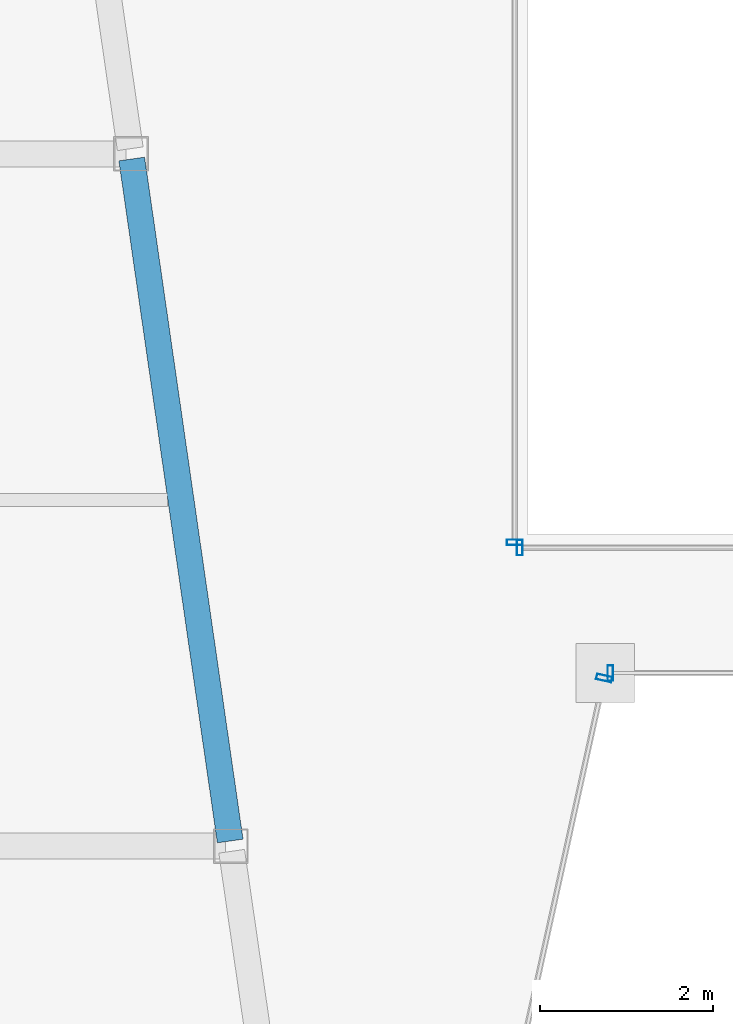
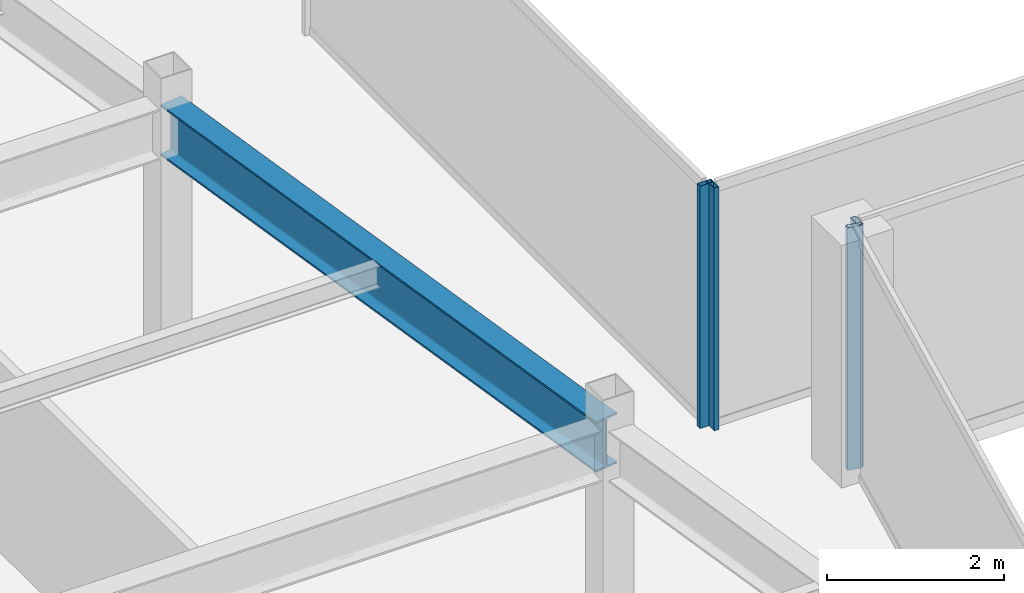
# One storey, part 7 of 34: 4 members, 1 beam, 4 elements without a shape of their own.
"""IFC4 building model written with IfcOpenShell, lengths in metres."""

from ifc_helpers import new_model, si_unit, direction, frame, origin, origin_2d, place, context, subcontext, project, spatial, hollow_rectangle, i_section, extrude, material, material_profile, profile_set, type_object, element, aggregate, save


model = new_model("IFC4")

# Units and contexts
model_context = context("Model", 3, precision=1e-05, world=origin(), true_north=direction((0.0, 1.0)))
body_context = subcontext(model_context, "Body", "Model", "MODEL_VIEW")
ifc_project = project(units=[si_unit("LENGTHUNIT", "METRE"), si_unit("AREAUNIT", "SQUARE_METRE"), si_unit("VOLUMEUNIT", "CUBIC_METRE"), si_unit("PLANEANGLEUNIT", "RADIAN"), si_unit("MASSUNIT", "GRAM", prefix="KILO")], contexts=[model_context])

# Site, building, storey
site_placement = place(None, origin())
site = spatial("IfcSite", under=ifc_project, at=site_placement, CompositionType="ELEMENT")
building_placement = place(site_placement, origin())
building = spatial("IfcBuilding", under=site, at=building_placement, Name="Saevonmaru Cultural Tower", CompositionType="ELEMENT")
storey_placement = place(building_placement, frame((0.0, 0.0, 220.800048828125)))
storey = spatial("IfcBuildingStorey", under=building, at=storey_placement, Name="L51", CompositionType="ELEMENT", Elevation=220.800048828125)

# Beam
ifc_material_1 = material(Name="Steel SM355", Category="steel")
ifc_material_profile_1 = material_profile(ifc_material_1, i_section(OverallWidth=0.300048828125, OverallDepth=0.699951171875, WebThickness=0.012939453125, FlangeThickness=0.02392578125, FilletRadius=0.02587890625, at=origin_2d()), Name="H-700x300x13x24")
ifc_profile_set_1 = profile_set([ifc_material_profile_1], Name="Steel SM355")
beam_type = type_object("IfcBeamType", Name="BM-G-H700", PredefinedType="BEAM", material=ifc_profile_set_1)
beam_placement = place(storey_placement, frame((20.763427734375, 24.059326171875, 3.0), z_axis=(-0.142902032203, 0.989736838353, 0.0), x_axis=(-0.989736838353, -0.142902032203, 0.0)))
element("IfcBeam", 1, at=beam_placement, inside=storey, type_object=beam_type, Name="L51 West Atrium Girder 2", PredefinedType="BEAM", context=body_context, shape_type="SweptSolid", body=[
    extrude(i_section(OverallWidth=0.300048828125, OverallDepth=0.699951171875, WebThickness=0.012939453125, FlangeThickness=0.02392578125, FilletRadius=0.02587890625, at=origin_2d()), origin(), (0.0, 0.0, 1.0), 7.963134765625),
])

# Curtain wall, member
ifc_material_2 = material(Name="Satin Bronze Anodised Aluminium", Category="aluminium")
curtain_wall_type_1 = type_object("IfcCurtainWallType", Name="CW-TYP-B", PredefinedType="NOTDEFINED", material=ifc_material_2)
curtain_wall_1_placement = place(storey_placement, origin())
curtain_wall_1 = element("IfcCurtainWall", 2, at=curtain_wall_1_placement, inside=storey, type_object=curtain_wall_type_1, Name="L51 Unitised Curtain Wall E3", PredefinedType="NOTDEFINED")
ifc_material_profile_2 = material_profile(ifc_material_2, hollow_rectangle(XDim=0.06494140625, YDim=0.179931640625, WallThickness=0.00390625, at=origin_2d()), Name="ALU-MULL-180x65x4")
ifc_profile_set_2 = profile_set([ifc_material_profile_2], Name="Satin Bronze Anodised Aluminium")
member_type_1 = type_object("IfcMemberType", Name="ML-CW-180x65", PredefinedType="MULLION", material=ifc_profile_set_2)
member_1_placement = place(storey_placement, frame((25.0849609375, 25.94140625, 0.0), z_axis=(0.0, 0.0, 1.0), x_axis=(0.215413319953, 0.976522965212, 0.0)))
member_1 = element("IfcMember", 3, at=member_1_placement, type_object=member_type_1, Name="CW-TW-L51-E3 mullion 2", PredefinedType="MULLION", context=body_context, shape_type="SweptSolid", body=[
    extrude(hollow_rectangle(XDim=0.06494140625, YDim=0.179931640625, WallThickness=0.00390625, at=origin_2d()), origin(), (0.0, 0.0, 1.0), 3.349853515625),
])
aggregate(curtain_wall_1, [member_1])

curtain_wall_2_placement = place(storey_placement, origin())
curtain_wall_2 = element("IfcCurtainWall", 4, at=curtain_wall_2_placement, inside=storey, type_object=curtain_wall_type_1, Name="L51 Unitised Curtain Wall E4", PredefinedType="NOTDEFINED")
member_2_placement = place(storey_placement, frame((25.15771484375, 26.0, 0.0), z_axis=(0.0, 0.0, 1.0), x_axis=(1.0, 0.0, 0.0)))
member_2 = element("IfcMember", 5, at=member_2_placement, type_object=member_type_1, Name="CW-TW-L51-E4 mullion 1", PredefinedType="MULLION", context=body_context, shape_type="SweptSolid", body=[
    extrude(hollow_rectangle(XDim=0.06494140625, YDim=0.179931640625, WallThickness=0.00390625, at=origin_2d()), origin(), (0.0, 0.0, 1.0), 3.349853515625),
])
aggregate(curtain_wall_2, [member_2])

curtain_wall_type_2 = type_object("IfcCurtainWallType", Name="CW-ATR-GLZ", PredefinedType="NOTDEFINED", material=ifc_material_2)
curtain_wall_3_placement = place(storey_placement, origin())
curtain_wall_3 = element("IfcCurtainWall", 6, at=curtain_wall_3_placement, inside=storey, type_object=curtain_wall_type_2, Name="L51 Vertical Atrium Glazed Smoke Screen 1", PredefinedType="NOTDEFINED")
ifc_material_profile_3 = material_profile(ifc_material_2, hollow_rectangle(XDim=0.06494140625, YDim=0.179931640625, WallThickness=0.00390625, at=origin_2d()), Name="ALU-MULL-180x65x4")
ifc_profile_set_3 = profile_set([ifc_material_profile_3], Name="Satin Bronze Anodised Aluminium")
member_type_2 = type_object("IfcMemberType", Name="ML-CW-INT-180x65", PredefinedType="MULLION", material=ifc_profile_set_3)
member_3_placement = place(storey_placement, frame((24.110107421875, 27.449951171875, 0.0), z_axis=(0.0, 0.0, 1.0), x_axis=(1.0, 0.0, 0.0)))
member_3 = element("IfcMember", 7, at=member_3_placement, type_object=member_type_2, Name="CW-ATR-L51-1 mullion 1", PredefinedType="MULLION", context=body_context, shape_type="SweptSolid", body=[
    extrude(hollow_rectangle(XDim=0.06494140625, YDim=0.179931640625, WallThickness=0.00390625, at=origin_2d()), origin(), (0.0, 0.0, 1.0), 3.349853515625),
])
aggregate(curtain_wall_3, [member_3])

curtain_wall_4_placement = place(storey_placement, origin())
curtain_wall_4 = element("IfcCurtainWall", 8, at=curtain_wall_4_placement, inside=storey, type_object=curtain_wall_type_2, Name="L51 Vertical Atrium Glazed Smoke Screen 4", PredefinedType="NOTDEFINED")
member_4_placement = place(storey_placement, frame((24.050048828125, 27.510009765625, 0.0), z_axis=(0.0, 0.0, 1.0), x_axis=(0.0, -1.0, 0.0)))
member_4 = element("IfcMember", 9, at=member_4_placement, type_object=member_type_2, Name="CW-ATR-L51-4 mullion 2", PredefinedType="MULLION", context=body_context, shape_type="SweptSolid", body=[
    extrude(hollow_rectangle(XDim=0.06494140625, YDim=0.179931640625, WallThickness=0.00390625, at=origin_2d()), origin(), (0.0, 0.0, 1.0), 3.349853515625),
])
aggregate(curtain_wall_4, [member_4])

save(model, "model.ifc")
